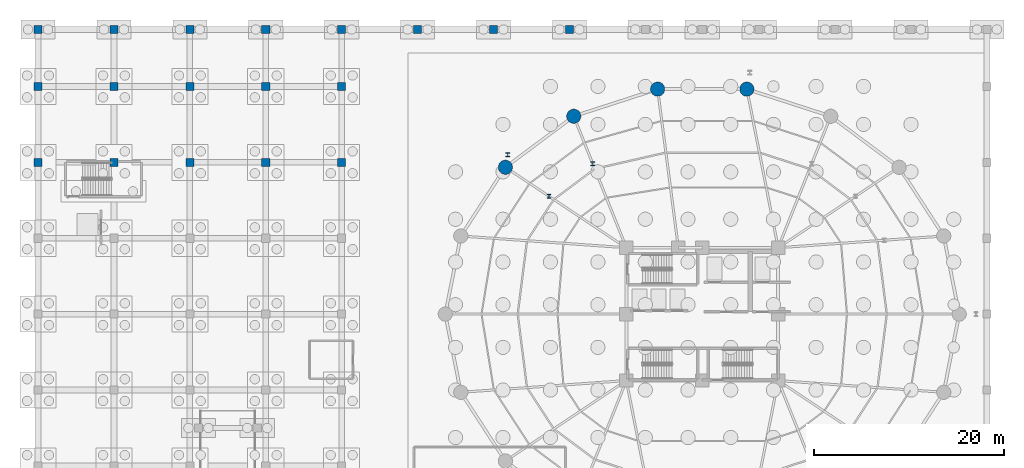
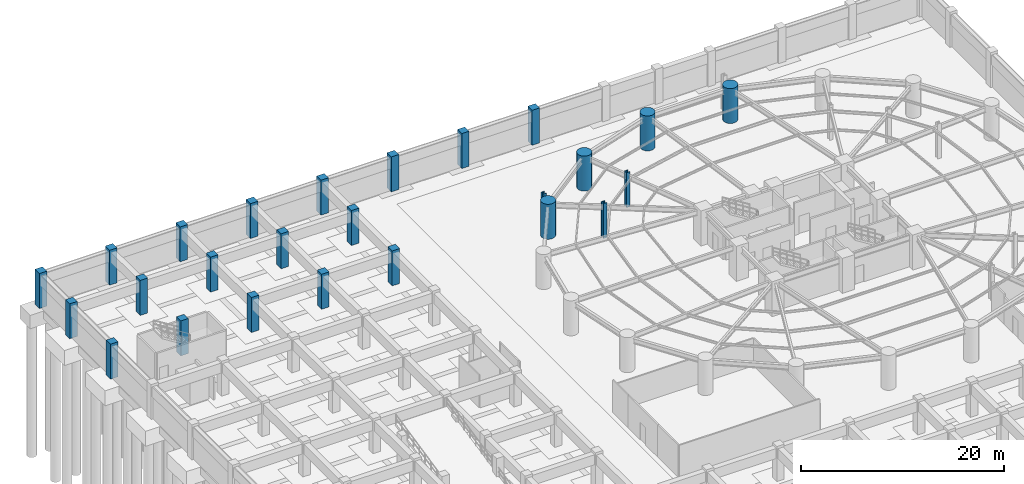
# One storey, part 6 of 23: 25 columns.
"""IFC4 building model written with IfcOpenShell, lengths in metres."""

from ifc_helpers import new_model, si_unit, direction, frame, origin, origin_2d, place, context, subcontext, project, spatial, rectangle, circle, i_section, extrude, material, material_profile, profile_set, type_object, element, save


model = new_model("IFC4")

# Units and contexts
model_context = context("Model", 3, precision=1e-05, world=origin(), true_north=direction((0.0, 1.0)))
body_context = subcontext(model_context, "Body", "Model", "MODEL_VIEW")
ifc_project = project(units=[si_unit("LENGTHUNIT", "METRE"), si_unit("AREAUNIT", "SQUARE_METRE"), si_unit("VOLUMEUNIT", "CUBIC_METRE"), si_unit("PLANEANGLEUNIT", "RADIAN"), si_unit("MASSUNIT", "GRAM", prefix="KILO")], contexts=[model_context])

# Site, building, storey
site_placement = place(None, origin())
site = spatial("IfcSite", under=ifc_project, at=site_placement, CompositionType="ELEMENT")
building_placement = place(site_placement, origin())
building = spatial("IfcBuilding", under=site, at=building_placement, Name="Kelanora Arch Commons", CompositionType="ELEMENT")
storey_placement = place(building_placement, frame((0.0, 0.0, -8.39990234375)))
storey = spatial("IfcBuildingStorey", under=building, at=storey_placement, Name="B02", CompositionType="ELEMENT", Elevation=-8.39990234375)

# Columns
ifc_material_1 = material(Name="Concrete C50/60", Category="concrete")
ifc_material_profile_1 = material_profile(ifc_material_1, rectangle(XDim=0.85009765625, YDim=0.85009765625, at=origin_2d()), Name="RC850x850")
ifc_profile_set_1 = profile_set([ifc_material_profile_1], Name="Concrete C50/60")
column_type_1 = type_object("IfcColumnType", Name="COL-BSMT", PredefinedType="COLUMN", material=ifc_profile_set_1)
for number, where, z_axis, x_axis, name in (
    (1, (4.0, 74.0, 0.0), (0.0, 0.0, 1.0), (1.0, 0.0, 0.0), "Basement Column 1-K B02"),
    (2, (4.0, 82.0, 0.0), (0.0, 0.0, 1.0), (1.0, 0.0, 0.0), "Basement Column 1-L B02"),
    (3, (4.0, 88.0, 0.0), (0.0, 0.0, 1.0), (1.0, 0.0, 0.0), "Basement Column 1-M B02"),
    (4, (12.0, 74.0, 0.0), (0.0, 0.0, 1.0), (1.0, 0.0, 0.0), "Basement Column 2-K B02"),
    (5, (12.0, 82.0, 0.0), (0.0, 0.0, 1.0), (1.0, 0.0, 0.0), "Basement Column 2-L B02"),
    (6, (12.0, 88.0, 0.0), (0.0, 0.0, 1.0), (1.0, 0.0, 0.0), "Basement Column 2-M B02"),
    (7, (20.0, 74.0, 0.0), (0.0, 0.0, 1.0), (1.0, 0.0, 0.0), "Basement Column 3-K B02"),
    (8, (20.0, 82.0, 0.0), (0.0, 0.0, 1.0), (1.0, 0.0, 0.0), "Basement Column 3-L B02"),
    (9, (20.0, 88.0, 0.0), (0.0, 0.0, 1.0), (1.0, 0.0, 0.0), "Basement Column 3-M B02"),
    (10, (28.0, 74.0, 0.0), (0.0, 0.0, 1.0), (1.0, 0.0, 0.0), "Basement Column 4-K B02"),
    (11, (28.0, 82.0, 0.0), (0.0, 0.0, 1.0), (1.0, 0.0, 0.0), "Basement Column 4-L B02"),
    (12, (28.0, 88.0, 0.0), (0.0, 0.0, 1.0), (1.0, 0.0, 0.0), "Basement Column 4-M B02"),
    (13, (36.0, 74.0, 0.0), (0.0, 0.0, 1.0), (1.0, 0.0, 0.0), "Basement Column 5-K B02"),
    (14, (36.0, 82.0, 0.0), (0.0, 0.0, 1.0), (1.0, 0.0, 0.0), "Basement Column 5-L B02"),
    (15, (36.0, 88.0, 0.0), (0.0, 0.0, 1.0), (1.0, 0.0, 0.0), "Basement Column 5-M B02"),
    (16, (44.0, 88.0, 0.0), (0.0, 0.0, 1.0), (1.0, 0.0, 0.0), "Basement Column 6-M B02"),
    (17, (52.0, 88.0, 0.0), (0.0, 0.0, 1.0), (1.0, 0.0, 0.0), "Basement Column 7-M B02"),
    (18, (60.0, 88.0, 0.0), (0.0, 0.0, 1.0), (1.0, 0.0, 0.0), "Basement Column 8-M B02"),
):
    element("IfcColumn", number, at=place(storey_placement, frame(where, z_axis=z_axis, x_axis=x_axis)), inside=storey, type_object=column_type_1, Name=name, PredefinedType="COLUMN", context=body_context, shape_type="SweptSolid", body=[
        extrude(rectangle(XDim=0.85009765625, YDim=0.85009765625, at=origin_2d()), origin(), (0.0, 0.0, 1.0), 4.199951171875),
    ])
ifc_material_2 = material(Name="Concrete C60/75", Category="concrete")
ifc_material_profile_2 = material_profile(ifc_material_2, circle(Radius=0.75, at=origin_2d()), Name="RCC1500")
ifc_profile_set_2 = profile_set([ifc_material_profile_2], Name="Concrete C60/75")
column_type_2 = type_object("IfcColumnType", Name="COL-PERIM-Z1", PredefinedType="COLUMN", material=ifc_profile_set_2)
for number, where, z_axis, x_axis, name in (
    (19, (78.702392578125, 81.714111328125, 0.0), (0.0, 0.0, 1.0), (1.0, 0.0, 0.0), "Perimeter Ring Column CP-08 B02"),
    (20, (69.297607421875, 81.714111328125, 0.0), (0.0, 0.0, 1.0), (1.0, 0.0, 0.0), "Perimeter Ring Column CP-10 B02"),
    (21, (60.4599609375, 78.85400390625, 0.0), (0.0, 0.0, 1.0), (1.0, 0.0, 0.0), "Perimeter Ring Column CP-12 B02"),
    (22, (53.255615234375, 73.478271484375, 0.0), (0.0, 0.0, 1.0), (1.0, 0.0, 0.0), "Perimeter Ring Column CP-14 B02"),
):
    element("IfcColumn", number, at=place(storey_placement, frame(where, z_axis=z_axis, x_axis=x_axis)), inside=storey, type_object=column_type_2, Name=name, PredefinedType="COLUMN", context=body_context, shape_type="SweptSolid", body=[
        extrude(circle(Radius=0.75, at=origin_2d()), origin(), (0.0, 0.0, 1.0), 4.199951171875),
    ])
ifc_material_3 = material(Name="Steel S355", Category="steel")
ifc_material_profile_3 = material_profile(ifc_material_3, i_section(OverallWidth=0.406005859375, OverallDepth=0.416015625, WebThickness=0.029052734375, FlangeThickness=0.048095703125, FilletRadius=0.014892578125, at=origin_2d()), Name="HD400x382")
ifc_profile_set_3 = profile_set([ifc_material_profile_3], Name="Steel S355")
column_type_3 = type_object("IfcColumnType", Name="COL-PORCH", PredefinedType="COLUMN", material=ifc_profile_set_3)
for number, where, z_axis, x_axis, name in (
    (23, (62.454345703125, 73.866455078125, 0.0), (0.0, 0.0, 1.0), (1.0, 0.0, 0.0), "Recessed Courtyard Column CCC-12 B02"),
    (24, (57.843505859375, 70.426025390625, 0.0), (0.0, 0.0, 1.0), (1.0, 0.0, 0.0), "Recessed Courtyard Column CCC-14 B02"),
    (25, (53.5, 74.800048828125, 0.0), (0.0, 0.0, 1.0), (1.0, 0.0, 0.0), "Courtyard Pergola Column NW B02"),
):
    element("IfcColumn", number, at=place(storey_placement, frame(where, z_axis=z_axis, x_axis=x_axis)), inside=storey, type_object=column_type_3, Name=name, PredefinedType="COLUMN", context=body_context, shape_type="SweptSolid", body=[
        extrude(i_section(OverallWidth=0.406005859375, OverallDepth=0.416015625, WebThickness=0.029052734375, FlangeThickness=0.048095703125, FilletRadius=0.014892578125, at=origin_2d()), origin(), (0.0, 0.0, 1.0), 4.199951171875),
    ])

save(model, "model.ifc")
